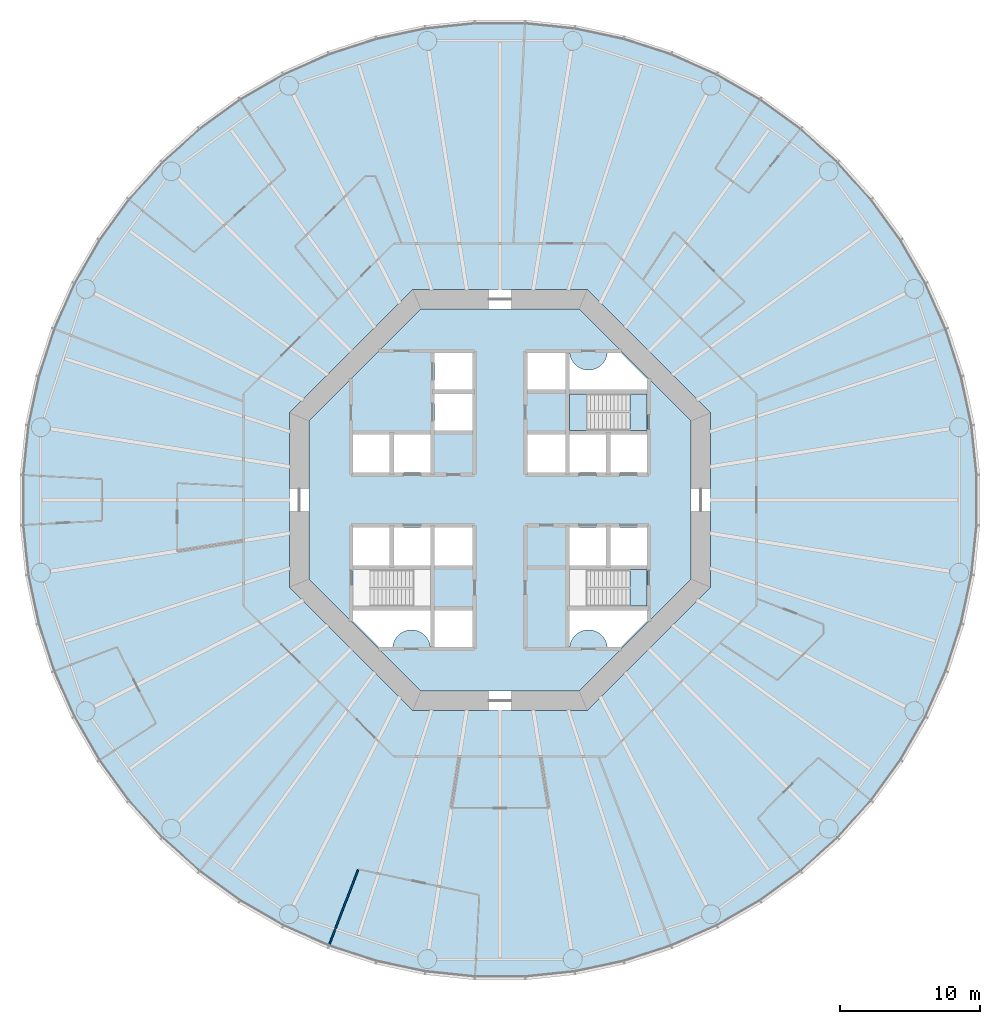
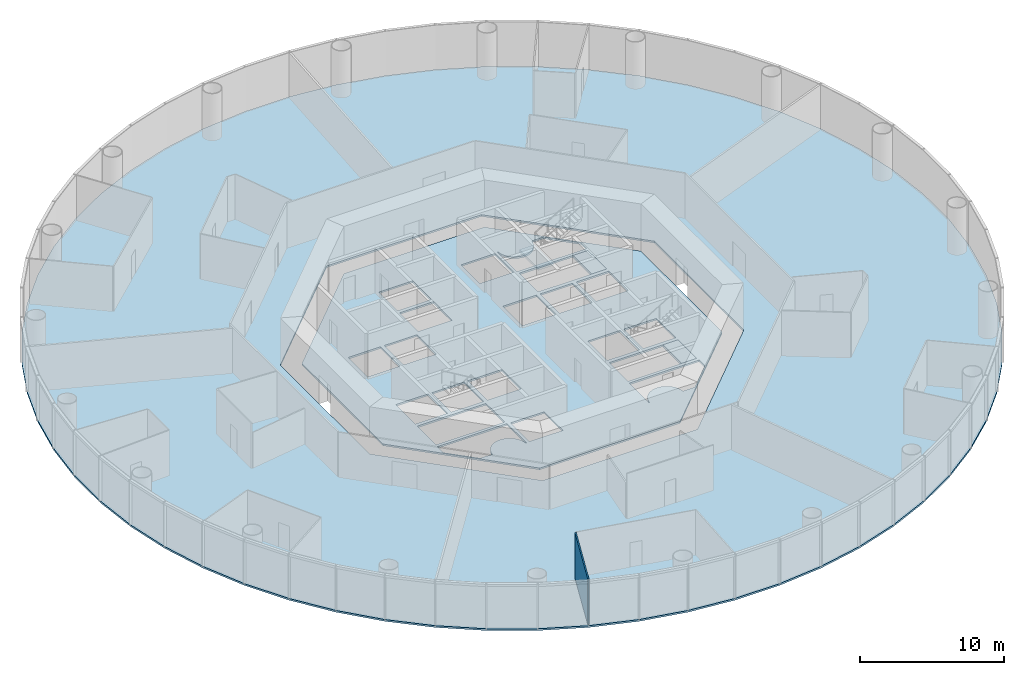
# One storey, part 2 of 13: 5 slabs, 1 wall, 2 elements without a shape of their own.
"""IFC4 building model written with IfcOpenShell, lengths in metres."""

from ifc_helpers import new_model, si_unit, direction, frame, frame_2d, origin, place, context, subcontext, project, spatial, polyline, rectangle, outline, extrude, material, layer, layer_set, type_object, element, aggregate, save


model = new_model("IFC4")

# Units and contexts
model_context = context("Model", 3, precision=1e-05, world=origin(), true_north=direction((0.0, 1.0)))
body_context = subcontext(model_context, "Body", "Model", "MODEL_VIEW")
ifc_project = project(units=[si_unit("LENGTHUNIT", "METRE"), si_unit("AREAUNIT", "SQUARE_METRE"), si_unit("VOLUMEUNIT", "CUBIC_METRE"), si_unit("PLANEANGLEUNIT", "RADIAN"), si_unit("MASSUNIT", "GRAM", prefix="KILO")], contexts=[model_context])

# Site, building, storey
site_placement = place(None, origin())
site = spatial("IfcSite", under=ifc_project, at=site_placement, CompositionType="ELEMENT")
building_placement = place(site_placement, origin())
building = spatial("IfcBuilding", under=site, at=building_placement, Name="Entoto Ring Tower", CompositionType="ELEMENT")
storey_placement = place(building_placement, frame((0.0, 0.0, 58.0)))
storey = spatial("IfcBuildingStorey", under=building, at=storey_placement, Name="L12", CompositionType="ELEMENT", Elevation=58.0)

# Slabs
ifc_material_1 = material(Name="Concrete C30/37", Category="concrete")
ifc_layer_1 = layer(ifc_material_1, 0.14990234375)
ifc_layer_set_1 = layer_set([ifc_layer_1], Name="Concrete C30/37")
slab_type_1 = type_object("IfcSlabType", Name="Composite floor slab 150 mm", PredefinedType="FLOOR", material=ifc_layer_set_1)
slab_1_placement = place(storey_placement, frame((0.0, 0.0, -0.14990234375)))
element("IfcSlab", 1, at=slab_1_placement, inside=storey, type_object=slab_type_1, Name="Floor slab L12", PredefinedType="FLOOR", context=body_context, shape_type="SweptSolid", body=[
    extrude(outline(polyline([(123.68017578125, 85.33447265625), (122.93798828125, 88.82568359375), (121.835205078125, 92.220458984375), (120.38330078125, 95.48095703125), (118.5986328125, 98.572265625), (116.500732421875, 101.459716796875), (114.1123046875, 104.1123046875), (111.459716796875, 106.500732421875), (108.572265625, 108.5986328125), (105.48095703125, 110.38330078125), (102.220458984375, 111.835205078125), (98.82568359375, 112.93798828125), (95.33447265625, 113.68017578125), (91.78466796875, 114.05322265625), (88.21533203125, 114.05322265625), (84.66552734375, 113.68017578125), (81.17431640625, 112.93798828125), (77.779541015625, 111.835205078125), (74.51904296875, 110.38330078125), (71.427734375, 108.5986328125), (68.540283203125, 106.500732421875), (65.8876953125, 104.1123046875), (63.499267578125, 101.459716796875), (61.4013671875, 98.572265625), (59.61669921875, 95.48095703125), (58.164794921875, 92.220458984375), (57.06201171875, 88.82568359375), (56.31982421875, 85.33447265625), (55.94677734375, 81.78466796875), (55.94677734375, 78.21533203125), (56.31982421875, 74.66552734375), (57.06201171875, 71.17431640625), (58.164794921875, 67.779541015625), (59.61669921875, 64.51904296875), (61.4013671875, 61.427734375), (63.499267578125, 58.540283203125), (65.8876953125, 55.8876953125), (68.540283203125, 53.499267578125), (71.427734375, 51.4013671875), (74.51904296875, 49.61669921875), (77.779541015625, 48.164794921875), (81.17431640625, 47.06201171875), (84.66552734375, 46.31982421875), (88.21533203125, 45.94677734375), (91.78466796875, 45.94677734375), (95.33447265625, 46.31982421875), (98.82568359375, 47.06201171875), (102.220458984375, 48.164794921875), (105.48095703125, 49.61669921875), (108.572265625, 51.4013671875), (111.459716796875, 53.499267578125), (114.1123046875, 55.8876953125), (116.500732421875, 58.540283203125), (118.5986328125, 61.427734375), (120.38330078125, 64.51904296875), (121.835205078125, 67.779541015625), (122.93798828125, 71.17431640625), (123.68017578125, 74.66552734375), (124.05322265625, 78.21533203125), (124.05322265625, 81.78466796875), (123.68017578125, 85.33447265625)]), holes=[polyline([(105.0, 73.786865234375), (105.0, 86.213134765625), (96.213134765625, 95.0), (83.786865234375, 95.0), (75.0, 86.213134765625), (75.0, 73.786865234375), (83.786865234375, 65.0), (96.213134765625, 65.0), (105.0, 73.786865234375)])]), origin(), (0.0, 0.0, 1.0), 0.14990234375),
])
ifc_material_2 = material(Name="Concrete C40/50", Category="concrete")
ifc_layer_2 = layer(ifc_material_2, 0.14990234375)
ifc_layer_set_2 = layer_set([ifc_layer_2], Name="Concrete C40/50")
slab_type_2 = type_object("IfcSlabType", Name="Core floor slab 150 mm reinforced concrete C40/50", PredefinedType="FLOOR", material=ifc_layer_set_2)
slab_2_placement = place(storey_placement, frame((0.0, 0.0, -0.14990234375)))
element("IfcSlab", 2, at=slab_2_placement, inside=storey, type_object=slab_type_2, Name="Core floor L12", PredefinedType="FLOOR", context=body_context, shape_type="SweptSolid", body=[
    extrude(outline(polyline([(103.60009765625, 74.36669921875), (103.60009765625, 85.63330078125), (95.63330078125, 93.60009765625), (84.36669921875, 93.60009765625), (76.39990234375, 85.63330078125), (76.39990234375, 74.36669921875), (84.36669921875, 66.39990234375), (95.63330078125, 66.39990234375), (103.60009765625, 74.36669921875)]), holes=[polyline([(100.449951171875, 84.949951171875), (100.449951171875, 87.550048828125), (94.949951171875, 87.550048828125), (94.949951171875, 84.949951171875), (100.449951171875, 84.949951171875)]), polyline([(85.050048828125, 72.449951171875), (85.050048828125, 75.050048828125), (79.550048828125, 75.050048828125), (79.550048828125, 72.449951171875), (85.050048828125, 72.449951171875)]), polyline([(100.449951171875, 72.449951171875), (100.449951171875, 75.050048828125), (94.949951171875, 75.050048828125), (94.949951171875, 72.449951171875), (100.449951171875, 72.449951171875)]), polyline([(94.949951171875, 81.949951171875), (97.550048828125, 81.949951171875), (97.550048828125, 84.64990234375), (94.949951171875, 84.64990234375), (94.949951171875, 81.949951171875)]), polyline([(97.85009765625, 81.949951171875), (100.449951171875, 81.949951171875), (100.449951171875, 84.64990234375), (97.85009765625, 84.64990234375), (97.85009765625, 81.949951171875)]), polyline([(82.449951171875, 81.949951171875), (85.050048828125, 81.949951171875), (85.050048828125, 84.64990234375), (82.449951171875, 84.64990234375), (82.449951171875, 81.949951171875)]), polyline([(94.949951171875, 75.35009765625), (97.550048828125, 75.35009765625), (97.550048828125, 78.050048828125), (94.949951171875, 78.050048828125), (94.949951171875, 75.35009765625)]), polyline([(97.85009765625, 75.35009765625), (100.449951171875, 75.35009765625), (100.449951171875, 78.050048828125), (97.85009765625, 78.050048828125), (97.85009765625, 75.35009765625)]), polyline([(82.449951171875, 75.35009765625), (85.050048828125, 75.35009765625), (85.050048828125, 78.050048828125), (82.449951171875, 78.050048828125), (82.449951171875, 75.35009765625)]), polyline([(79.550048828125, 81.949951171875), (82.14990234375, 81.949951171875), (82.14990234375, 84.64990234375), (79.550048828125, 84.64990234375), (79.550048828125, 81.949951171875)]), polyline([(79.550048828125, 75.35009765625), (82.14990234375, 75.35009765625), (82.14990234375, 78.050048828125), (79.550048828125, 78.050048828125), (79.550048828125, 75.35009765625)]), polyline([(91.949951171875, 87.85009765625), (94.64990234375, 87.85009765625), (94.64990234375, 90.449951171875), (91.949951171875, 90.449951171875), (91.949951171875, 87.85009765625)]), polyline([(85.35009765625, 69.550048828125), (88.050048828125, 69.550048828125), (88.050048828125, 72.14990234375), (85.35009765625, 72.14990234375), (85.35009765625, 69.550048828125)]), polyline([(91.949951171875, 81.949951171875), (94.64990234375, 81.949951171875), (94.64990234375, 84.64990234375), (91.949951171875, 84.64990234375), (91.949951171875, 81.949951171875)]), polyline([(85.35009765625, 75.35009765625), (88.050048828125, 75.35009765625), (88.050048828125, 78.050048828125), (85.35009765625, 78.050048828125), (85.35009765625, 75.35009765625)]), polyline([(85.35009765625, 84.949951171875), (88.050048828125, 84.949951171875), (88.050048828125, 87.550048828125), (85.35009765625, 87.550048828125), (85.35009765625, 84.949951171875)]), polyline([(85.35009765625, 87.85009765625), (88.050048828125, 87.85009765625), (88.050048828125, 90.449951171875), (85.35009765625, 90.449951171875), (85.35009765625, 87.85009765625)]), polyline([(94.89990234375, 90.5), (94.89990234375, 87.800048828125), (100.5, 87.800048828125), (100.5, 88.591796875), (98.591796875, 90.5), (97.64501953125, 90.5), (97.6435546875, 90.4677734375), (97.6240234375, 90.336669921875), (97.591796875, 90.2080078125), (97.547119140625, 90.08349609375), (97.490478515625, 89.963623046875), (97.422607421875, 89.85009765625), (97.343505859375, 89.74365234375), (97.254638671875, 89.6455078125), (97.156494140625, 89.556396484375), (97.050048828125, 89.4775390625), (96.936279296875, 89.409423828125), (96.816650390625, 89.352783203125), (96.69189453125, 89.30810546875), (96.5634765625, 89.27587890625), (96.432373046875, 89.256591796875), (96.300048828125, 89.25), (96.167724609375, 89.256591796875), (96.03662109375, 89.27587890625), (95.908203125, 89.30810546875), (95.783447265625, 89.352783203125), (95.66357421875, 89.409423828125), (95.550048828125, 89.4775390625), (95.443603515625, 89.556396484375), (95.345458984375, 89.6455078125), (95.25634765625, 89.74365234375), (95.177490234375, 89.85009765625), (95.109375, 89.963623046875), (95.052734375, 90.08349609375), (95.008056640625, 90.2080078125), (94.975830078125, 90.336669921875), (94.95654296875, 90.4677734375), (94.954833984375, 90.5), (94.89990234375, 90.5)]), polyline([(79.5, 71.408203125), (81.408203125, 69.5), (82.35498046875, 69.5), (82.3564453125, 69.5322265625), (82.3759765625, 69.663330078125), (82.408203125, 69.7919921875), (82.452880859375, 69.91650390625), (82.509521484375, 70.036376953125), (82.577392578125, 70.14990234375), (82.656494140625, 70.25634765625), (82.745361328125, 70.3544921875), (82.843505859375, 70.443603515625), (82.949951171875, 70.5224609375), (83.063720703125, 70.590576171875), (83.183349609375, 70.647216796875), (83.30810546875, 70.69189453125), (83.4365234375, 70.72412109375), (83.567626953125, 70.743408203125), (83.699951171875, 70.75), (83.832275390625, 70.743408203125), (83.96337890625, 70.72412109375), (84.091796875, 70.69189453125), (84.216552734375, 70.647216796875), (84.33642578125, 70.590576171875), (84.449951171875, 70.5224609375), (84.556396484375, 70.443603515625), (84.654541015625, 70.3544921875), (84.74365234375, 70.25634765625), (84.822509765625, 70.14990234375), (84.890625, 70.036376953125), (84.947265625, 69.91650390625), (84.991943359375, 69.7919921875), (85.024169921875, 69.663330078125), (85.04345703125, 69.5322265625), (85.045166015625, 69.5), (85.10009765625, 69.5), (85.10009765625, 72.199951171875), (79.5, 72.199951171875), (79.5, 71.408203125)]), polyline([(97.64501953125, 69.5), (98.591796875, 69.5), (100.5, 71.408203125), (100.5, 72.199951171875), (94.89990234375, 72.199951171875), (94.89990234375, 69.5), (94.954833984375, 69.5), (94.95654296875, 69.5322265625), (94.975830078125, 69.663330078125), (95.008056640625, 69.7919921875), (95.052734375, 69.91650390625), (95.109375, 70.036376953125), (95.177490234375, 70.14990234375), (95.25634765625, 70.25634765625), (95.345458984375, 70.3544921875), (95.443603515625, 70.443603515625), (95.550048828125, 70.5224609375), (95.66357421875, 70.590576171875), (95.783447265625, 70.647216796875), (95.908203125, 70.69189453125), (96.03662109375, 70.72412109375), (96.167724609375, 70.743408203125), (96.300048828125, 70.75), (96.432373046875, 70.743408203125), (96.5634765625, 70.72412109375), (96.69189453125, 70.69189453125), (96.816650390625, 70.647216796875), (96.936279296875, 70.590576171875), (97.050048828125, 70.5224609375), (97.156494140625, 70.443603515625), (97.254638671875, 70.3544921875), (97.343505859375, 70.25634765625), (97.422607421875, 70.14990234375), (97.490478515625, 70.036376953125), (97.547119140625, 69.91650390625), (97.591796875, 69.7919921875), (97.6240234375, 69.663330078125), (97.6435546875, 69.5322265625), (97.64501953125, 69.5)])]), origin(), (0.0, 0.0, 1.0), 0.14990234375),
])

# Stair, slabs
ifc_material_3 = material(Name="Concrete C40/50", Category="concrete")
stair_type = type_object("IfcStairType", Name="Exit stair 1200 mm dog-leg reinforced concrete", PredefinedType="HALF_TURN_STAIR", material=ifc_material_3)
stair_1_placement = place(storey_placement, origin())
stair_1 = element("IfcStair", 3, at=stair_1_placement, inside=storey, type_object=stair_type, Name="Exit stair 1", PredefinedType="HALF_TURN_STAIR")
ifc_material_4 = material(Name="Concrete C40/50", Category="concrete")
ifc_layer_3 = layer(ifc_material_4, 0.199951171875)
ifc_layer_set_3 = layer_set([ifc_layer_3], Name="Concrete C40/50")
slab_type_3 = type_object("IfcSlabType", Name="Stair landing 200 mm reinforced concrete", PredefinedType="LANDING", material=ifc_layer_set_3)
slab_3_placement = place(storey_placement, frame((0.0, 0.0, -0.199951171875)))
slab_3 = element("IfcSlab", 4, at=slab_3_placement, type_object=slab_type_3, Name="ST1 landing 1", PredefinedType="LANDING", context=body_context, shape_type="SweptSolid", body=[
    extrude(outline(polyline([(100.449951171875, 84.949951171875), (100.449951171875, 87.550048828125), (99.25, 87.550048828125), (99.25, 84.949951171875), (100.449951171875, 84.949951171875)])), origin(), (0.0, 0.0, 1.0), 0.199951171875),
])
slab_4_placement = place(storey_placement, frame((0.0, 0.0, 1.800048828125)))
slab_4 = element("IfcSlab", 5, at=slab_4_placement, type_object=slab_type_3, Name="ST1 landing 2", PredefinedType="LANDING", context=body_context, shape_type="SweptSolid", body=[
    extrude(outline(polyline([(94.949951171875, 84.949951171875), (96.169921875, 84.949951171875), (96.169921875, 87.550048828125), (94.949951171875, 87.550048828125), (94.949951171875, 84.949951171875)])), origin(), (0.0, 0.0, 1.0), 0.199951171875),
])
aggregate(stair_1, [slab_3, slab_4])

# Stair, slab
stair_2_placement = place(storey_placement, origin())
stair_2 = element("IfcStair", 6, at=stair_2_placement, inside=storey, type_object=stair_type, Name="Exit stair 3", PredefinedType="HALF_TURN_STAIR")
slab_5_placement = place(storey_placement, frame((0.0, 0.0, -0.199951171875)))
slab_5 = element("IfcSlab", 7, at=slab_5_placement, type_object=slab_type_3, Name="ST3 landing 1", PredefinedType="LANDING", context=body_context, shape_type="SweptSolid", body=[
    extrude(outline(polyline([(100.449951171875, 72.449951171875), (100.449951171875, 75.050048828125), (99.25, 75.050048828125), (99.25, 72.449951171875), (100.449951171875, 72.449951171875)])), origin(), (0.0, 0.0, 1.0), 0.199951171875),
])
aggregate(stair_2, [slab_5])

# Wall
ifc_material_5 = material(Name="Plasterboard on steel studs", Category="steel")
ifc_layer_4 = layer(ifc_material_5, 0.10009765625)
ifc_layer_set_4 = layer_set([ifc_layer_4], Name="Plasterboard on steel studs")
wall_type = type_object("IfcWallType", Name="Partition 100 mm plasterboard on steel studs", PredefinedType="PARTITIONING", material=ifc_layer_set_4)
wall_placement = place(storey_placement, frame((77.8369140625, 48.314208984375, 0.0), z_axis=(0.0, 0.0, 1.0), x_axis=(0.358368080848, 0.933580376095, 0.0)))
element("IfcWall", 8, at=wall_placement, inside=storey, type_object=wall_type, Name="partition-L12-025", PredefinedType="PARTITIONING", context=body_context, shape_type="SweptSolid", body=[
    extrude(rectangle(XDim=5.730712890625, YDim=0.10009765625, at=frame_2d((2.865234375, 0.0))), origin(), (0.0, 0.0, 1.0), 3.85009765625),
])

save(model, "model.ifc")
